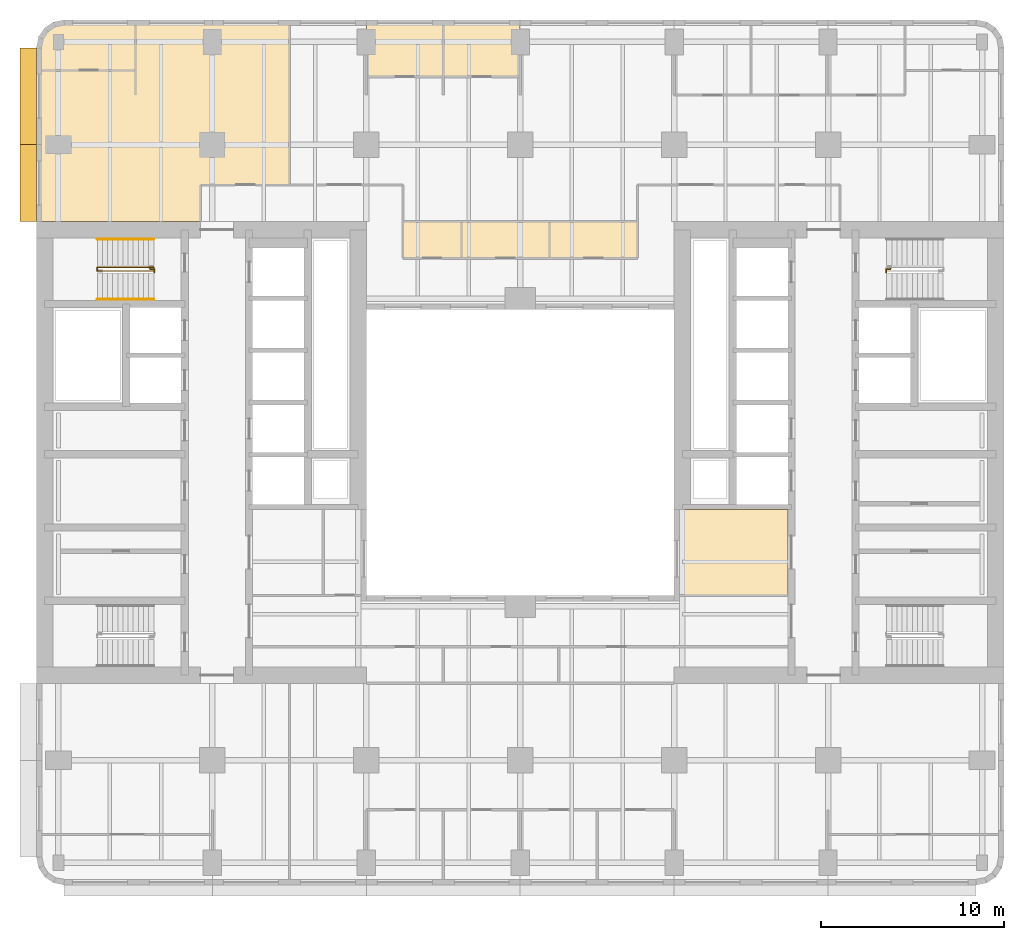
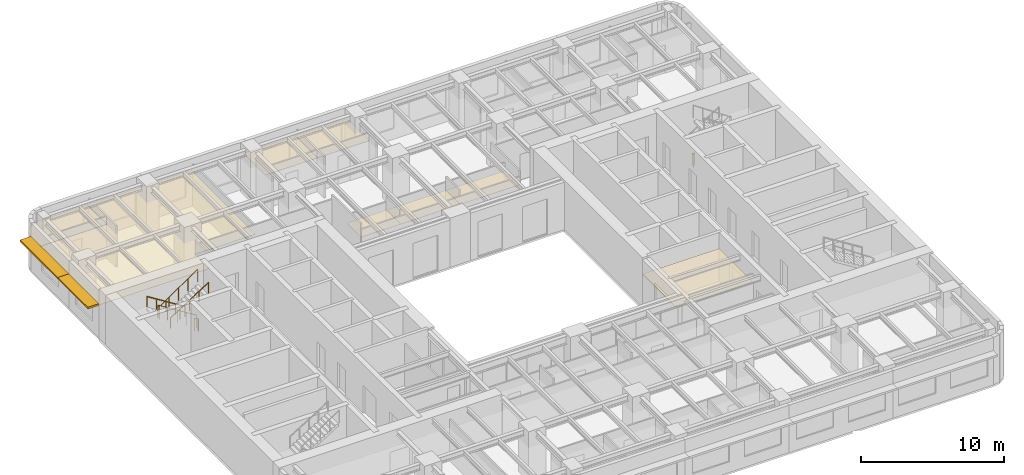
# One storey, part 10 of 11: 8 coverings, 5 railings, 2 shading devices.
"""IFC4 building model written with IfcOpenShell, lengths in metres."""

from ifc_helpers import new_model, si_unit, direction, frame, origin, origin_2d, place, context, subcontext, project, spatial, polyline, rectangle, circle, outline, extrude, material, layer, layer_set, type_object, element, save


model = new_model("IFC4")

# Units and contexts
model_context = context("Model", 3, precision=1e-05, world=origin(), true_north=direction((0.0, 1.0)))
body_context = subcontext(model_context, "Body", "Model", "MODEL_VIEW")
ifc_project = project(units=[si_unit("LENGTHUNIT", "METRE"), si_unit("AREAUNIT", "SQUARE_METRE"), si_unit("VOLUMEUNIT", "CUBIC_METRE"), si_unit("PLANEANGLEUNIT", "RADIAN"), si_unit("MASSUNIT", "GRAM", prefix="KILO")], contexts=[model_context])

# Site, building, storey
site_placement = place(None, origin())
site = spatial("IfcSite", under=ifc_project, at=site_placement, CompositionType="ELEMENT")
building_placement = place(site_placement, origin())
building = spatial("IfcBuilding", under=site, at=building_placement, Name="Claustro Exchange Tower", CompositionType="ELEMENT")
storey_placement = place(building_placement, frame((0.0, 0.0, 159.60009765625)))
storey = spatial("IfcBuildingStorey", under=building, at=storey_placement, Name="L36", CompositionType="ELEMENT", Elevation=159.60009765625)

# Coverings
ifc_material_1 = material(Name="Perforated metal ceiling tiles", Category="steel")
ifc_layer_1 = layer(ifc_material_1, 0.030029296875)
ifc_layer_set_1 = layer_set([ifc_layer_1], Name="Perforated metal ceiling tiles")
covering_type_1 = type_object("IfcCoveringType", Name="CL1 suspended metal ceiling", PredefinedType="CEILING", material=ifc_layer_set_1)
covering_1_placement = place(storey_placement, frame((0.0, 0.0, 2.7998046875)))
element("IfcCovering", 1, at=covering_1_placement, inside=storey, type_object=covering_type_1, Name="Ceiling CL1 L36-21", PredefinedType="CEILING", context=body_context, shape_type="SweptSolid", body=[
    extrude(outline(polyline([(-1.199951171875, 46.050048828125), (-1.199951171875, 37.800048828125), (7.75, 37.800048828125), (7.75, 39.800048828125), (12.60009765625, 39.800048828125), (12.60009765625, 48.800048828125), (4.199951171875, 48.800048828125), (4.199951171875, 46.050048828125), (-1.199951171875, 46.050048828125)])), origin(), (0.0, 0.0, 1.0), 0.030029296875),
])
ifc_material_2 = material(Name="Gypsum board ceiling", Category="gypsum board")
ifc_layer_2 = layer(ifc_material_2, 0.02490234375)
ifc_layer_set_2 = layer_set([ifc_layer_2], Name="Gypsum board ceiling")
covering_type_2 = type_object("IfcCoveringType", Name="CL2 plasterboard ceiling", PredefinedType="CEILING", material=ifc_layer_set_2)
covering_2_placement = place(storey_placement, frame((0.0, 0.0, 2.7998046875)))
element("IfcCovering", 2, at=covering_2_placement, inside=storey, type_object=covering_type_2, Name="Ceiling CL2 L36-15", PredefinedType="CEILING", context=body_context, shape_type="SweptSolid", body=[
    extrude(outline(polyline([(39.800048828125, 17.39990234375), (39.800048828125, 22.10009765625), (33.60009765625, 22.10009765625), (33.60009765625, 17.39990234375), (39.800048828125, 17.39990234375)])), origin(), (0.0, 0.0, 1.0), 0.025146484375),
])
covering_3_placement = place(storey_placement, frame((0.0, 0.0, 2.7998046875)))
element("IfcCovering", 3, at=covering_3_placement, inside=storey, type_object=covering_type_2, Name="Ceiling CL2 L36-17", PredefinedType="CEILING", context=body_context, shape_type="SweptSolid", body=[
    extrude(outline(polyline([(18.800048828125, 35.800048828125), (22.0, 35.800048828125), (22.0, 37.800048828125), (18.800048828125, 37.800048828125), (18.800048828125, 35.800048828125)])), origin(), (0.0, 0.0, 1.0), 0.025146484375),
])
covering_4_placement = place(storey_placement, frame((0.0, 0.0, 2.7998046875)))
element("IfcCovering", 4, at=covering_4_placement, inside=storey, type_object=covering_type_2, Name="Ceiling CL2 L36-18", PredefinedType="CEILING", context=body_context, shape_type="SweptSolid", body=[
    extrude(outline(polyline([(22.0, 35.800048828125), (26.800048828125, 35.800048828125), (26.800048828125, 37.800048828125), (22.0, 37.800048828125), (22.0, 35.800048828125)])), origin(), (0.0, 0.0, 1.0), 0.025146484375),
])
covering_5_placement = place(storey_placement, frame((0.0, 0.0, 2.7998046875)))
element("IfcCovering", 5, at=covering_5_placement, inside=storey, type_object=covering_type_2, Name="Ceiling CL2 L36-19", PredefinedType="CEILING", context=body_context, shape_type="SweptSolid", body=[
    extrude(outline(polyline([(26.800048828125, 35.800048828125), (31.60009765625, 35.800048828125), (31.60009765625, 37.800048828125), (26.800048828125, 37.800048828125), (26.800048828125, 35.800048828125)])), origin(), (0.0, 0.0, 1.0), 0.025146484375),
])
covering_6_placement = place(storey_placement, frame((0.0, 0.0, 2.7998046875)))
element("IfcCovering", 6, at=covering_6_placement, inside=storey, type_object=covering_type_2, Name="Ceiling CL2 L36-25", PredefinedType="CEILING", context=body_context, shape_type="SweptSolid", body=[
    extrude(outline(polyline([(21.0, 48.800048828125), (16.800048828125, 48.800048828125), (16.800048828125, 45.699951171875), (21.0, 45.699951171875), (21.0, 48.800048828125)])), origin(), (0.0, 0.0, 1.0), 0.025146484375),
])
covering_7_placement = place(storey_placement, frame((0.0, 0.0, 2.7998046875)))
element("IfcCovering", 7, at=covering_7_placement, inside=storey, type_object=covering_type_2, Name="Ceiling CL2 L36-26", PredefinedType="CEILING", context=body_context, shape_type="SweptSolid", body=[
    extrude(outline(polyline([(25.199951171875, 48.800048828125), (21.0, 48.800048828125), (21.0, 45.699951171875), (25.199951171875, 45.699951171875), (25.199951171875, 48.800048828125)])), origin(), (0.0, 0.0, 1.0), 0.025146484375),
])
covering_8_placement = place(storey_placement, frame((0.0, 0.0, 2.7998046875)))
element("IfcCovering", 8, at=covering_8_placement, inside=storey, type_object=covering_type_2, Name="Ceiling CL2 L36-27", PredefinedType="CEILING", context=body_context, shape_type="SweptSolid", body=[
    extrude(outline(polyline([(-1.199951171875, 47.300048828125), (-1.199951171875, 46.050048828125), (4.199951171875, 46.050048828125), (4.199951171875, 48.800048828125), (0.300048828125, 48.800048828125), (-0.27392578125, 48.685791015625), (-0.7607421875, 48.360595703125), (-1.085693359375, 47.8740234375), (-1.199951171875, 47.300048828125)])), origin(), (0.0, 0.0, 1.0), 0.025146484375),
])

# Railings
ifc_material_3 = material(Name="Steel balustrade, painted", Category="steel")
railing_type_1 = type_object("IfcRailingType", Name="GR2 1100 steel stair guard", PredefinedType="GUARDRAIL", material=ifc_material_3)
railing_1_placement = place(storey_placement, frame((5.199951171875, 35.300048828125, 0.1748046875)))
element("IfcRailing", 9, at=railing_1_placement, inside=storey, type_object=railing_type_1, Name="Stair well guard GR2 stair STWB L36", PredefinedType="GUARDRAIL", context=body_context, shape_type="SweptSolid", body=[
    extrude(circle(Radius=0.02392578125, at=origin_2d()), frame((0.0, 0.0, 1.076171875), z_axis=(-0.847979421464, 0.0, 0.530029150871), x_axis=(0.0, -1.0, 0.0)), (0.0, 0.0, 1.0), 3.632080078125),
    extrude(circle(Radius=0.02392578125, at=origin_2d()), frame((-3.079833984375, 0.0, 3.0009765625), z_axis=(0.0, -1.0, 0.0), x_axis=(1.0, 0.0, 0.0)), (0.0, 0.0, 1.0), 0.199951171875),
    extrude(circle(Radius=0.02392578125, at=origin_2d()), frame((-3.079833984375, -0.199951171875, 3.0009765625), z_axis=(0.826201015165, 0.0, 0.563375436579), x_axis=(0.0, 1.0, 0.0)), (0.0, 0.0, 1.0), 3.727783203125),
    extrude(circle(Radius=0.02099609375, at=origin_2d()), origin(), (0.0, 0.0, 1.0), 1.052001953125),
    extrude(circle(Radius=0.02099609375, at=origin_2d()), frame((-0.77001953125, 0.0, 0.481201171875)), (0.0, 0.0, 1.0), 1.052001953125),
    extrude(circle(Radius=0.02099609375, at=origin_2d()), frame((-1.5400390625, 0.0, 0.96240234375)), (0.0, 0.0, 1.0), 1.052001953125),
    extrude(circle(Radius=0.02099609375, at=origin_2d()), frame((-2.309814453125, 0.0, 1.44384765625)), (0.0, 0.0, 1.0), 1.052001953125),
    extrude(circle(Radius=0.02099609375, at=origin_2d()), frame((-3.079833984375, 0.0, 1.925048828125)), (0.0, 0.0, 1.0), 1.052001953125),
    extrude(circle(Radius=0.02099609375, at=origin_2d()), frame((-3.079833984375, -0.199951171875, 1.925048828125)), (0.0, 0.0, 1.0), 1.052001953125),
    extrude(circle(Radius=0.02099609375, at=origin_2d()), frame((-2.309814453125, -0.199951171875, 2.4501953125)), (0.0, 0.0, 1.0), 1.052001953125),
    extrude(circle(Radius=0.02099609375, at=origin_2d()), frame((-1.5400390625, -0.199951171875, 2.97509765625)), (0.0, 0.0, 1.0), 1.052001953125),
    extrude(circle(Radius=0.02099609375, at=origin_2d()), frame((-0.77001953125, -0.199951171875, 3.5)), (0.0, 0.0, 1.0), 1.052001953125),
    extrude(circle(Radius=0.02099609375, at=origin_2d()), frame((0.0, -0.199951171875, 4.025146484375)), (0.0, 0.0, 1.0), 1.052001953125),
])
railing_2_placement = place(storey_placement, frame((5.0, 35.22998046875, 0.0)))
element("IfcRailing", 10, at=railing_2_placement, inside=storey, type_object=railing_type_1, Name="Stair guard GR2 STWB L36", PredefinedType="GUARDRAIL", context=body_context, shape_type="SweptSolid", body=[
    extrude(circle(Radius=0.02392578125, at=origin_2d()), frame((0.0, 0.0, 1.076171875), z_axis=(0.0, -1.0, 0.0), x_axis=(1.0, 0.0, 0.0)), (0.0, 0.0, 1.0), 0.030029296875),
    extrude(circle(Radius=0.02392578125, at=origin_2d()), frame((0.0, -0.030029296875, 1.076171875), z_axis=(1.0, 0.0, 0.0), x_axis=(0.0, 1.0, 0.0)), (0.0, 0.0, 1.0), 0.22509765625),
    extrude(circle(Radius=0.02392578125, at=origin_2d()), frame((0.22509765625, -0.030029296875, 1.076171875), z_axis=(0.0, -1.0, 0.0), x_axis=(1.0, 0.0, 0.0)), (0.0, 0.0, 1.0), 0.179931640625),
    extrude(circle(Radius=0.02099609375, at=origin_2d()), origin(), (0.0, 0.0, 1.0), 1.052001953125),
    extrude(circle(Radius=0.02099609375, at=origin_2d()), frame((0.0, -0.030029296875, 0.0)), (0.0, 0.0, 1.0), 1.052001953125),
    extrude(circle(Radius=0.02099609375, at=origin_2d()), frame((0.22509765625, -0.030029296875, 0.0)), (0.0, 0.0, 1.0), 1.052001953125),
    extrude(circle(Radius=0.02099609375, at=origin_2d()), frame((0.22509765625, -0.2099609375, 0.0)), (0.0, 0.0, 1.0), 1.052001953125),
])
railing_3_placement = place(storey_placement, frame((45.39990234375, 35.22998046875, 0.0)))
element("IfcRailing", 11, at=railing_3_placement, inside=storey, type_object=railing_type_1, Name="Stair guard GR2 STEB L36", PredefinedType="GUARDRAIL", context=body_context, shape_type="SweptSolid", body=[
    extrude(circle(Radius=0.02392578125, at=origin_2d()), frame((0.0, 0.0, 1.076171875), z_axis=(0.0, -1.0, 0.0), x_axis=(1.0, 0.0, 0.0)), (0.0, 0.0, 1.0), 0.030029296875),
    extrude(circle(Radius=0.02392578125, at=origin_2d()), frame((0.0, -0.030029296875, 1.076171875), z_axis=(-1.0, 0.0, 0.0), x_axis=(0.0, -1.0, 0.0)), (0.0, 0.0, 1.0), 0.224853515625),
    extrude(circle(Radius=0.02392578125, at=origin_2d()), frame((-0.224853515625, -0.030029296875, 1.076171875), z_axis=(0.0, -1.0, 0.0), x_axis=(1.0, 0.0, 0.0)), (0.0, 0.0, 1.0), 0.179931640625),
    extrude(circle(Radius=0.02099609375, at=origin_2d()), origin(), (0.0, 0.0, 1.0), 1.052001953125),
    extrude(circle(Radius=0.02099609375, at=origin_2d()), frame((0.0, -0.030029296875, 0.0)), (0.0, 0.0, 1.0), 1.052001953125),
    extrude(circle(Radius=0.02099609375, at=origin_2d()), frame((-0.224853515625, -0.030029296875, 0.0)), (0.0, 0.0, 1.0), 1.052001953125),
    extrude(circle(Radius=0.02099609375, at=origin_2d()), frame((-0.224853515625, -0.2099609375, 0.0)), (0.0, 0.0, 1.0), 1.052001953125),
])
ifc_material_4 = material(Name="Stainless steel tube", Category="steel")
railing_type_2 = type_object("IfcRailingType", Name="HR1 900 stair handrail", PredefinedType="HANDRAIL", material=ifc_material_4)
railing_4_placement = place(storey_placement, frame((5.199951171875, 36.840087890625, 0.1748046875)))
element("IfcRailing", 12, at=railing_4_placement, inside=storey, type_object=railing_type_2, Name="Handrail HR1 stair STWB L36", PredefinedType="HANDRAIL", context=body_context, shape_type="SweptSolid", body=[
    extrude(circle(Radius=0.02392578125, at=origin_2d()), frame((0.0, 0.0, 0.8759765625), z_axis=(-0.847979421464, 0.0, 0.530029150871), x_axis=(0.0, -1.0, 0.0)), (0.0, 0.0, 1.0), 3.632080078125),
    extrude(circle(Radius=0.02099609375, at=origin_2d()), origin(), (0.0, 0.0, 1.0), 0.851806640625),
    extrude(circle(Radius=0.02099609375, at=origin_2d()), frame((-0.77001953125, 0.0, 0.481201171875)), (0.0, 0.0, 1.0), 0.851806640625),
    extrude(circle(Radius=0.02099609375, at=origin_2d()), frame((-1.5400390625, 0.0, 0.96240234375)), (0.0, 0.0, 1.0), 0.851806640625),
    extrude(circle(Radius=0.02099609375, at=origin_2d()), frame((-2.309814453125, 0.0, 1.44384765625)), (0.0, 0.0, 1.0), 0.851806640625),
    extrude(circle(Radius=0.02099609375, at=origin_2d()), frame((-3.079833984375, 0.0, 1.925048828125)), (0.0, 0.0, 1.0), 0.851806640625),
])
railing_5_placement = place(storey_placement, frame((2.1201171875, 33.56005859375, 2.27490234375)))
element("IfcRailing", 13, at=railing_5_placement, inside=storey, type_object=railing_type_2, Name="Handrail HR1 stair STWB L36", PredefinedType="HANDRAIL", context=body_context, shape_type="SweptSolid", body=[
    extrude(circle(Radius=0.02392578125, at=origin_2d()), frame((0.0, 0.0, 0.8759765625), z_axis=(0.847979421464, 0.0, 0.530029150871), x_axis=(0.0, 1.0, 0.0)), (0.0, 0.0, 1.0), 3.632080078125),
    extrude(circle(Radius=0.02099609375, at=origin_2d()), origin(), (0.0, 0.0, 1.0), 0.851806640625),
    extrude(circle(Radius=0.02099609375, at=origin_2d()), frame((0.77001953125, 0.0, 0.481201171875)), (0.0, 0.0, 1.0), 0.851806640625),
    extrude(circle(Radius=0.02099609375, at=origin_2d()), frame((1.5400390625, 0.0, 0.96240234375)), (0.0, 0.0, 1.0), 0.851806640625),
    extrude(circle(Radius=0.02099609375, at=origin_2d()), frame((2.309814453125, 0.0, 1.44384765625)), (0.0, 0.0, 1.0), 0.851806640625),
    extrude(circle(Radius=0.02099609375, at=origin_2d()), frame((3.079833984375, 0.0, 1.925048828125)), (0.0, 0.0, 1.0), 0.851806640625),
])

# Shading devices
ifc_material_5 = material(Name="Concrete HA-40 (C40/50), precast, white cement, acid-etched", Category="concrete")
ifc_layer_3 = layer(ifc_material_5, 0.14990234375)
ifc_layer_set_3 = layer_set([ifc_layer_3], Name="Concrete HA-40 (C40/50), precast, white cement, acid-etched")
shading_device_type = type_object("IfcShadingDeviceType", Name="SS2 900 precast concrete SUNSHADE", PredefinedType="SHUTTER", material=ifc_layer_set_3)
shading_device_1_placement = place(storey_placement, frame((-1.64990234375, 39.89990234375, 2.800048828125), z_axis=(0.0, 0.0, 1.0), x_axis=(0.0, 1.0, 0.0)))
element("IfcShadingDevice", 14, at=shading_device_1_placement, inside=storey, type_object=shading_device_type, Name="Precast SUNSHADE SS2 L36", PredefinedType="SHUTTER", context=body_context, shape_type="SweptSolid", body=[
    extrude(rectangle(XDim=4.199951171875, YDim=0.89990234375, at=origin_2d()), origin(), (0.0, 0.0, 1.0), 0.14990234375),
])
shading_device_2_placement = place(storey_placement, frame((-1.64990234375, 44.642578125, 2.800048828125), z_axis=(0.0, 0.0, 1.0), x_axis=(0.0, 1.0, 0.0)))
element("IfcShadingDevice", 15, at=shading_device_2_placement, inside=storey, type_object=shading_device_type, Name="Precast SUNSHADE SS2 L36", PredefinedType="SHUTTER", context=body_context, shape_type="SweptSolid", body=[
    extrude(rectangle(XDim=5.28515625, YDim=0.89990234375, at=origin_2d()), origin(), (0.0, 0.0, 1.0), 0.14990234375),
])

save(model, "model.ifc")
